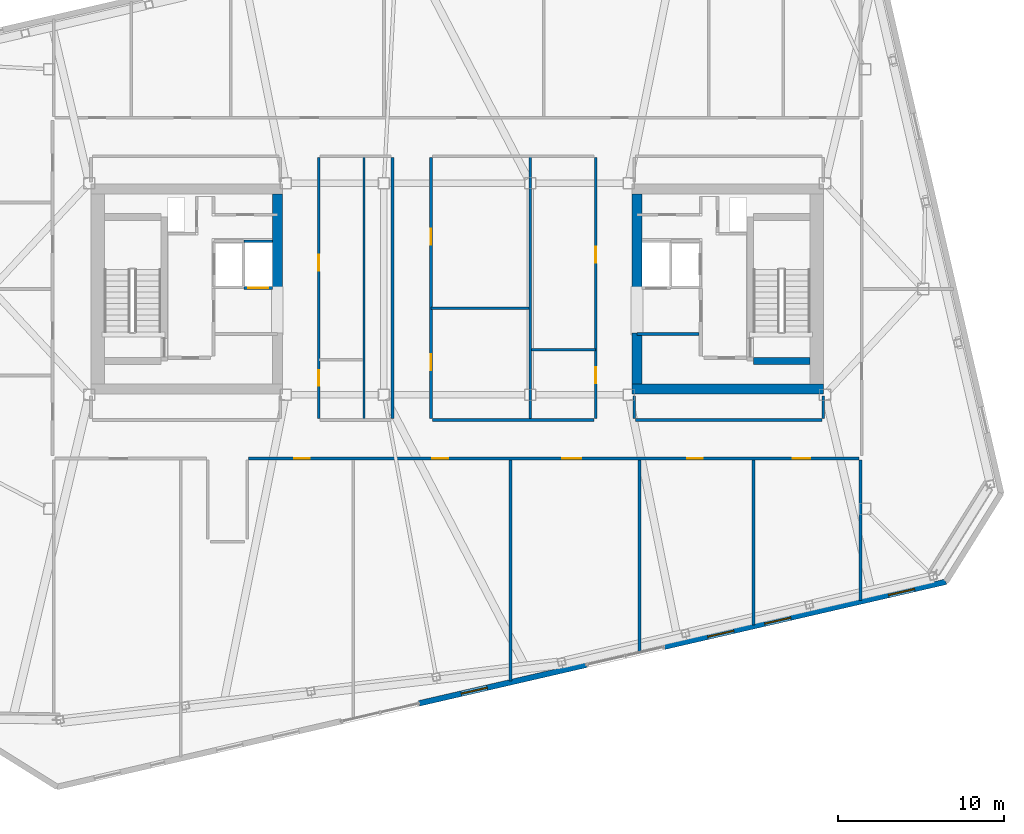
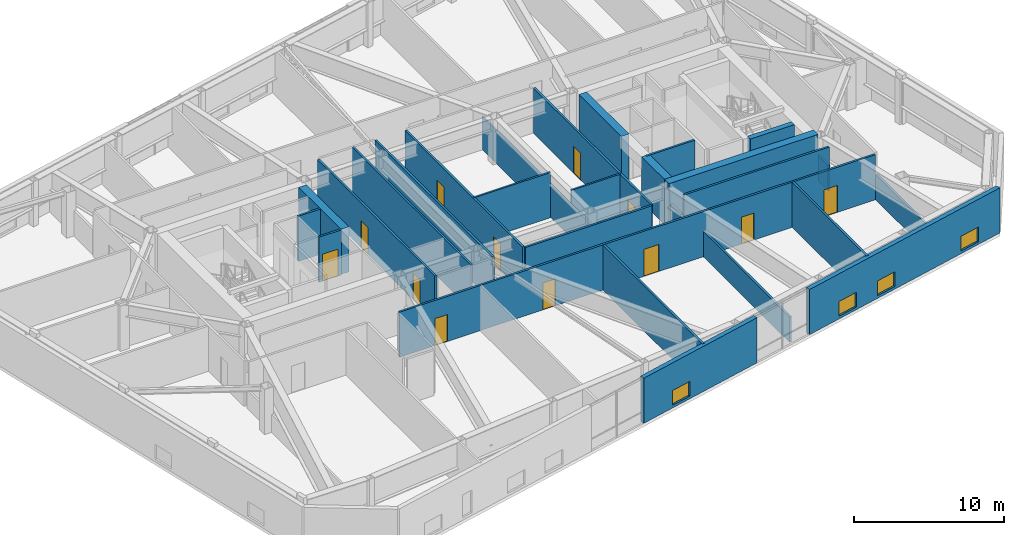
# One storey, part 17 of 23: 27 walls, 12 doors, 4 windows, 16 openings.
"""IFC4 building model written with IfcOpenShell, lengths in metres."""

from ifc_helpers import new_model, si_unit, direction, frame, frame_2d, origin, place, context, subcontext, project, spatial, rectangle, extrude, material, layer, layer_set, type_object, element, fill, save


model = new_model("IFC4")

# Units and contexts
model_context = context("Model", 3, precision=1e-05, world=origin(), true_north=direction((0.0, 1.0)))
body_context = subcontext(model_context, "Body", "Model", "MODEL_VIEW")
ifc_project = project(units=[si_unit("LENGTHUNIT", "METRE"), si_unit("AREAUNIT", "SQUARE_METRE"), si_unit("VOLUMEUNIT", "CUBIC_METRE"), si_unit("PLANEANGLEUNIT", "RADIAN"), si_unit("MASSUNIT", "GRAM", prefix="KILO")], contexts=[model_context])

# Site, building, storey
site_placement = place(None, origin())
site = spatial("IfcSite", under=ifc_project, at=site_placement, CompositionType="ELEMENT")
building_placement = place(site_placement, origin())
building = spatial("IfcBuilding", under=site, at=building_placement, Name="Tavrogorsk Clinical Tower", CompositionType="ELEMENT")
storey_placement = place(building_placement, frame((0.0, 0.0, 329.0)))
storey = spatial("IfcBuildingStorey", under=building, at=storey_placement, Name="L77", CompositionType="ELEMENT", Elevation=329.0)

# Walls
ifc_material_1 = material(Name="Lightweight concrete blockwork B15", Category="masonry")
ifc_layer_1 = layer(ifc_material_1, 0.139892578125)
ifc_layer_set_1 = layer_set([ifc_layer_1], Name="Lightweight concrete blockwork B15")
wall_type_1 = type_object("IfcWallType", Name="PartitionWall_140", PredefinedType="PARTITIONING", material=ifc_layer_set_1)
wall_1_placement = place(storey_placement, frame((-5.60009765625, -7.864990234375, 0.0), z_axis=(0.0, 0.0, 1.0), x_axis=(0.0, 1.0, 0.0)))
element("IfcWall", 1, at=wall_1_placement, inside=storey, type_object=wall_type_1, Name="L77 Central Spine Partition 1", PredefinedType="PARTITIONING", context=body_context, shape_type="SweptSolid", body=[
    extrude(rectangle(XDim=15.830078125, YDim=0.139892578125, at=frame_2d((7.9150390625, 0.0))), origin(), (0.0, 0.0, 1.0), 3.679931640625),
])
wall_2_placement = place(storey_placement, frame((4.39990234375, -7.864990234375, 0.0), z_axis=(0.0, 0.0, 1.0), x_axis=(0.0, 1.0, 0.0)))
element("IfcWall", 2, at=wall_2_placement, inside=storey, type_object=wall_type_1, Name="L77 Central Spine Partition 2", PredefinedType="PARTITIONING", context=body_context, shape_type="SweptSolid", body=[
    extrude(rectangle(XDim=15.830078125, YDim=0.139892578125, at=frame_2d((7.9150390625, 0.0))), origin(), (0.0, 0.0, 1.0), 2.675048828125),
])
wall_3_placement = place(storey_placement, frame((-1.56494140625, -1.14990234375, 0.0), z_axis=(0.0, 0.0, 1.0), x_axis=(1.0, 0.0, 0.0)))
element("IfcWall", 3, at=wall_3_placement, inside=storey, type_object=wall_type_1, Name="L77 Central Spine Partition 3", PredefinedType="PARTITIONING", context=body_context, shape_type="SweptSolid", body=[
    extrude(rectangle(XDim=5.889892578125, YDim=0.139892578125, at=frame_2d((2.94482421875, 0.0))), origin(), (0.0, 0.0, 1.0), 3.679931640625),
])
wall_4_placement = place(storey_placement, frame((4.47509765625, -3.64990234375, 0.0), z_axis=(0.0, 0.0, 1.0), x_axis=(1.0, 0.0, 0.0)))
element("IfcWall", 4, at=wall_4_placement, inside=storey, type_object=wall_type_1, Name="L77 Central Spine Partition 5", PredefinedType="PARTITIONING", context=body_context, shape_type="SweptSolid", body=[
    extrude(rectangle(XDim=3.83984375, YDim=0.139892578125, at=frame_2d((1.919921875, 0.0))), origin(), (0.0, 0.0, 1.0), 3.679931640625),
])
ifc_material_2 = material(Name="Lightweight concrete blockwork B15", Category="masonry")
ifc_layer_2 = layer(ifc_material_2, 0.159912109375)
ifc_layer_set_2 = layer_set([ifc_layer_2], Name="Lightweight concrete blockwork B15")
wall_type_2 = type_object("IfcWallType", Name="PartitionWall_160", PredefinedType="PARTITIONING", material=ifc_layer_set_2)
wall_5_placement = place(storey_placement, frame((10.800048828125, -2.699951171875, 0.0), z_axis=(0.0, 0.0, 1.0), x_axis=(1.0, 0.0, 0.0)))
element("IfcWall", 5, at=wall_5_placement, inside=storey, type_object=wall_type_2, Name="L77 Core East Freed Mid-Bank North Partition", PredefinedType="PARTITIONING", context=body_context, shape_type="SweptSolid", body=[
    extrude(rectangle(XDim=3.73486328125, YDim=0.159912109375, at=frame_2d((1.867431640625, 0.0))), origin(), (0.0, 0.0, 1.0), 3.679931640625),
])

# Wall, openings, doors
wall_6_placement = place(storey_placement, frame((24.14501953125, -10.179931640625, 0.0), z_axis=(0.0, 0.0, 1.0), x_axis=(-1.0, 0.0, 0.0)))
wall_6 = element("IfcWall", 6, at=wall_6_placement, inside=storey, type_object=wall_type_2, Name="L77 Corridor Partition 04", PredefinedType="PARTITIONING", context=body_context, shape_type="SweptSolid", body=[
    extrude(rectangle(XDim=36.679931640625, YDim=0.159912109375, at=frame_2d((18.33984375, 0.0))), origin(), (0.0, 0.0, 1.0), 3.679931640625),
])
opening_1_placement = place(wall_6_placement, frame((32.995849609375, 0.0, 0.0)))
opening_1 = element("IfcOpeningElement", 7, at=opening_1_placement, cuts=wall_6, Name="Opening ID-02", PredefinedType="OPENING", context=body_context, shape_type="SweptSolid", body=[
    extrude(rectangle(XDim=0.949951171875, YDim=2.199951171875, at=frame_2d((0.47509765625, 1.10009765625))), frame((0.0, 0.08984375, 0.0), z_axis=(0.0, -1.0, 0.0), x_axis=(1.0, 0.0, 0.0)), (0.0, 0.0, 1.0), 0.179931640625),
])
opening_2_placement = place(wall_6_placement, frame((24.679931640625, 0.0, 0.0)))
opening_2 = element("IfcOpeningElement", 8, at=opening_2_placement, cuts=wall_6, Name="Opening ID-02", PredefinedType="OPENING", context=body_context, shape_type="SweptSolid", body=[
    extrude(rectangle(XDim=0.949951171875, YDim=2.199951171875, at=frame_2d((0.47509765625, 1.10009765625))), frame((0.0, 0.08984375, 0.0), z_axis=(0.0, -1.0, 0.0), x_axis=(1.0, 0.0, 0.0)), (0.0, 0.0, 1.0), 0.179931640625),
])
opening_3_placement = place(wall_6_placement, frame((16.679931640625, 0.0, 0.0)))
opening_3 = element("IfcOpeningElement", 9, at=opening_3_placement, cuts=wall_6, Name="Opening ID-06", PredefinedType="OPENING", context=body_context, shape_type="SweptSolid", body=[
    extrude(rectangle(XDim=1.14990234375, YDim=2.199951171875, at=frame_2d((0.574951171875, 1.10009765625))), frame((0.0, 0.08984375, 0.0), z_axis=(0.0, -1.0, 0.0), x_axis=(1.0, 0.0, 0.0)), (0.0, 0.0, 1.0), 0.179931640625),
])
opening_4_placement = place(wall_6_placement, frame((9.3798828125, 0.0, 0.0)))
opening_4 = element("IfcOpeningElement", 10, at=opening_4_placement, cuts=wall_6, Name="Opening ID-02", PredefinedType="OPENING", context=body_context, shape_type="SweptSolid", body=[
    extrude(rectangle(XDim=0.949951171875, YDim=2.199951171875, at=frame_2d((0.47509765625, 1.10009765625))), frame((0.0, 0.08984375, 0.0), z_axis=(0.0, -1.0, 0.0), x_axis=(1.0, 0.0, 0.0)), (0.0, 0.0, 1.0), 0.179931640625),
])
opening_5_placement = place(wall_6_placement, frame((2.93408203125, 0.0, 0.0)))
opening_5 = element("IfcOpeningElement", 11, at=opening_5_placement, cuts=wall_6, Name="Opening ID-04", PredefinedType="OPENING", context=body_context, shape_type="SweptSolid", body=[
    extrude(rectangle(XDim=1.050048828125, YDim=2.199951171875, at=frame_2d((0.52490234375, 1.10009765625))), frame((0.0, 0.08984375, 0.0), z_axis=(0.0, -1.0, 0.0), x_axis=(1.0, 0.0, 0.0)), (0.0, 0.0, 1.0), 0.179931640625),
])
ifc_material_3 = material(Name="Antibacterial HPL consultation door on aluminium frame", Category="aluminium")
door_type_1 = type_object("IfcDoorType", Name="ConsultDoor_ID04_1050", OperationType="NOTDEFINED", PredefinedType="DOOR", material=ifc_material_3)
door_1_placement = place(opening_5_placement, origin())
door_1 = element("IfcDoor", 12, at=door_1_placement, inside=storey, type_object=door_type_1, Name="L77 South Faculty Dining & Reading Lounge 04 Door", OperationType="SINGLE_SWING_LEFT", OverallHeight=2.199951171875, OverallWidth=1.050048828125, PredefinedType="DOOR", context=body_context, shape_type="SweptSolid", body=[
    extrude(rectangle(XDim=1.050048828125, YDim=2.199951171875, at=frame_2d((0.52490234375, 1.10009765625))), frame((0.0, 0.02490234375, 0.0), z_axis=(0.0, -1.0, 0.0), x_axis=(1.0, 0.0, 0.0)), (0.0, 0.0, 1.0), 0.050048828125),
])
fill(opening_5, door_1)
ifc_material_4 = material(Name="Laminated timber leaf on aluminium frame", Category="wood")
door_type_2 = type_object("IfcDoorType", Name="InteriorDoor_ID02_950", OperationType="NOTDEFINED", PredefinedType="DOOR", material=ifc_material_4)
door_2_placement = place(opening_1_placement, origin())
door_2 = element("IfcDoor", 13, at=door_2_placement, inside=storey, type_object=door_type_2, Name="L77 South Faculty Dining & Reading Lounge 02A Door", OperationType="SINGLE_SWING_LEFT", OverallHeight=2.199951171875, OverallWidth=0.949951171875, PredefinedType="DOOR", context=body_context, shape_type="SweptSolid", body=[
    extrude(rectangle(XDim=0.949951171875, YDim=2.199951171875, at=frame_2d((0.47509765625, 1.10009765625))), frame((0.0, 0.02490234375, 0.0), z_axis=(0.0, -1.0, 0.0), x_axis=(1.0, 0.0, 0.0)), (0.0, 0.0, 1.0), 0.050048828125),
])
fill(opening_1, door_2)
door_3_placement = place(opening_2_placement, origin())
door_3 = element("IfcDoor", 14, at=door_3_placement, inside=storey, type_object=door_type_2, Name="L77 South Telemedicine & AI Diagnostics Research Office 02B Door", OperationType="SINGLE_SWING_RIGHT", OverallHeight=2.199951171875, OverallWidth=0.949951171875, PredefinedType="DOOR", context=body_context, shape_type="SweptSolid", body=[
    extrude(rectangle(XDim=0.949951171875, YDim=2.199951171875, at=frame_2d((0.47509765625, 1.10009765625))), frame((0.0, 0.02490234375, 0.0), z_axis=(0.0, -1.0, 0.0), x_axis=(1.0, 0.0, 0.0)), (0.0, 0.0, 1.0), 0.050048828125),
])
fill(opening_2, door_3)
door_4_placement = place(opening_4_placement, origin())
door_4 = element("IfcDoor", 15, at=door_4_placement, inside=storey, type_object=door_type_2, Name="L77 South Grand Rounds Academic Lecture Hall 03B Door", OperationType="SINGLE_SWING_RIGHT", OverallHeight=2.199951171875, OverallWidth=0.949951171875, PredefinedType="DOOR", context=body_context, shape_type="SweptSolid", body=[
    extrude(rectangle(XDim=0.949951171875, YDim=2.199951171875, at=frame_2d((0.47509765625, 1.10009765625))), frame((0.0, 0.02490234375, 0.0), z_axis=(0.0, -1.0, 0.0), x_axis=(1.0, 0.0, 0.0)), (0.0, 0.0, 1.0), 0.050048828125),
])
fill(opening_4, door_4)
ifc_material_5 = material(Name="Antibacterial HPL procedure door on aluminium frame", Category="aluminium")
door_type_3 = type_object("IfcDoorType", Name="LabDoor_ID06_1150", OperationType="NOTDEFINED", PredefinedType="DOOR", material=ifc_material_5)
door_5_placement = place(opening_3_placement, origin())
door_5 = element("IfcDoor", 16, at=door_5_placement, inside=storey, type_object=door_type_3, Name="L77 South Clinical Trials Archive & Data Store 03A Door", OperationType="SINGLE_SWING_LEFT", OverallHeight=2.199951171875, OverallWidth=1.14990234375, PredefinedType="DOOR", context=body_context, shape_type="SweptSolid", body=[
    extrude(rectangle(XDim=1.14990234375, YDim=2.199951171875, at=frame_2d((0.574951171875, 1.10009765625))), frame((0.0, 0.02490234375, 0.0), z_axis=(0.0, -1.0, 0.0), x_axis=(1.0, 0.0, 0.0)), (0.0, 0.0, 1.0), 0.050048828125),
])
fill(opening_3, door_5)

# Walls
wall_7_placement = place(storey_placement, frame((10.6298828125, -6.419921875, 0.0), z_axis=(0.0, 0.0, 1.0), x_axis=(0.0, -1.0, 0.0)))
element("IfcWall", 17, at=wall_7_placement, inside=storey, type_object=wall_type_2, Name="L77 Corridor Partition 11", PredefinedType="PARTITIONING", context=body_context, shape_type="SweptSolid", body=[
    extrude(rectangle(XDim=1.364990234375, YDim=0.159912109375, at=frame_2d((0.6826171875, 0.0))), origin(), (0.0, 0.0, 1.0), 2.074951171875),
])
wall_8_placement = place(storey_placement, frame((10.715087890625, -7.8701171875, 0.0), z_axis=(0.0, 0.0, 1.0), x_axis=(1.0, 0.0, 0.0)))
element("IfcWall", 18, at=wall_8_placement, inside=storey, type_object=wall_type_2, Name="L77 Corridor Partition 12", PredefinedType="PARTITIONING", context=body_context, shape_type="SweptSolid", body=[
    extrude(rectangle(XDim=11.199951171875, YDim=0.159912109375, at=frame_2d((5.60009765625, 0.0))), origin(), (0.0, 0.0, 1.0), 3.679931640625),
])
wall_9_placement = place(storey_placement, frame((22.0, -7.784912109375, 0.0), z_axis=(0.0, 0.0, 1.0), x_axis=(0.0, 1.0, 0.0)))
element("IfcWall", 19, at=wall_9_placement, inside=storey, type_object=wall_type_2, Name="L77 Corridor Partition 13", PredefinedType="PARTITIONING", context=body_context, shape_type="SweptSolid", body=[
    extrude(rectangle(XDim=1.364990234375, YDim=0.159912109375, at=frame_2d((0.6826171875, 0.0))), origin(), (0.0, 0.0, 1.0), 2.074951171875),
])

# Wall, openings, doors
wall_10_placement = place(storey_placement, frame((-1.570068359375, 7.885009765625, 0.0), z_axis=(0.0, 0.0, 1.0), x_axis=(0.0, -1.0, 0.0)))
wall_10 = element("IfcWall", 20, at=wall_10_placement, inside=storey, type_object=wall_type_2, Name="L77 Corridor Partition 16", PredefinedType="PARTITIONING", context=body_context, shape_type="SweptSolid", body=[
    extrude(rectangle(XDim=15.669921875, YDim=0.159912109375, at=frame_2d((7.8349609375, 0.0))), origin(), (0.0, 0.0, 1.0), 3.679931640625),
])
opening_6_placement = place(wall_10_placement, frame((11.810791015625, 0.0, 0.0)))
opening_6 = element("IfcOpeningElement", 21, at=opening_6_placement, cuts=wall_10, Name="Opening ID-02", PredefinedType="OPENING", context=body_context, shape_type="SweptSolid", body=[
    extrude(rectangle(XDim=0.949951171875, YDim=2.199951171875, at=frame_2d((0.47509765625, 1.10009765625))), frame((0.0, 0.08984375, 0.0), z_axis=(0.0, -1.0, 0.0), x_axis=(1.0, 0.0, 0.0)), (0.0, 0.0, 1.0), 0.179931640625),
])
opening_7_placement = place(wall_10_placement, frame((4.279052734375, 0.0, 0.0)))
opening_7 = element("IfcOpeningElement", 22, at=opening_7_placement, cuts=wall_10, Name="Opening ID-02", PredefinedType="OPENING", context=body_context, shape_type="SweptSolid", body=[
    extrude(rectangle(XDim=0.949951171875, YDim=2.199951171875, at=frame_2d((0.47509765625, 1.10009765625))), frame((0.0, 0.08984375, 0.0), z_axis=(0.0, -1.0, 0.0), x_axis=(1.0, 0.0, 0.0)), (0.0, 0.0, 1.0), 0.179931640625),
])
door_6_placement = place(opening_6_placement, origin())
door_6 = element("IfcDoor", 23, at=door_6_placement, inside=storey, type_object=door_type_2, Name="L77 Multidisciplinary Conference Room Door", OperationType="SINGLE_SWING_RIGHT", OverallHeight=2.199951171875, OverallWidth=0.949951171875, PredefinedType="DOOR", context=body_context, shape_type="SweptSolid", body=[
    extrude(rectangle(XDim=0.949951171875, YDim=2.199951171875, at=frame_2d((0.47509765625, 1.10009765625))), frame((0.0, 0.02490234375, 0.0), z_axis=(0.0, -1.0, 0.0), x_axis=(1.0, 0.0, 0.0)), (0.0, 0.0, 1.0), 0.050048828125),
])
fill(opening_6, door_6)
door_7_placement = place(opening_7_placement, origin())
door_7 = element("IfcDoor", 24, at=door_7_placement, inside=storey, type_object=door_type_2, Name="L77 Nurses' Station & Triage Hub Door", OperationType="SINGLE_SWING_LEFT", OverallHeight=2.199951171875, OverallWidth=0.949951171875, PredefinedType="DOOR", context=body_context, shape_type="SweptSolid", body=[
    extrude(rectangle(XDim=0.949951171875, YDim=2.199951171875, at=frame_2d((0.47509765625, 1.10009765625))), frame((0.0, 0.02490234375, 0.0), z_axis=(0.0, -1.0, 0.0), x_axis=(1.0, 0.0, 0.0)), (0.0, 0.0, 1.0), 0.050048828125),
])
fill(opening_7, door_7)

# Wall
wall_11_placement = place(storey_placement, frame((-1.485107421875, -7.8701171875, 0.0), z_axis=(0.0, 0.0, 1.0), x_axis=(1.0, 0.0, 0.0)))
element("IfcWall", 25, at=wall_11_placement, inside=storey, type_object=wall_type_2, Name="L77 Corridor Partition 17", PredefinedType="PARTITIONING", context=body_context, shape_type="SweptSolid", body=[
    extrude(rectangle(XDim=9.72021484375, YDim=0.159912109375, at=frame_2d((4.860107421875, 0.0))), origin(), (0.0, 0.0, 1.0), 3.679931640625),
])

# Wall, openings, doors
wall_12_placement = place(storey_placement, frame((8.320068359375, -7.784912109375, 0.0), z_axis=(0.0, 0.0, 1.0), x_axis=(0.0, 1.0, 0.0)))
wall_12 = element("IfcWall", 26, at=wall_12_placement, inside=storey, type_object=wall_type_2, Name="L77 Corridor Partition 18", PredefinedType="PARTITIONING", context=body_context, shape_type="SweptSolid", body=[
    extrude(rectangle(XDim=15.669921875, YDim=0.159912109375, at=frame_2d((7.8349609375, 0.0))), origin(), (0.0, 0.0, 1.0), 3.679931640625),
])
opening_8_placement = place(wall_12_placement, frame((2.129150390625, 0.0, 0.0)))
opening_8 = element("IfcOpeningElement", 27, at=opening_8_placement, cuts=wall_12, Name="Opening ID-02", PredefinedType="OPENING", context=body_context, shape_type="SweptSolid", body=[
    extrude(rectangle(XDim=0.949951171875, YDim=2.199951171875, at=frame_2d((0.47509765625, 1.10009765625))), frame((0.0, 0.08984375, 0.0), z_axis=(0.0, -1.0, 0.0), x_axis=(1.0, 0.0, 0.0)), (0.0, 0.0, 1.0), 0.179931640625),
])
opening_9_placement = place(wall_12_placement, frame((9.36083984375, 0.0, 0.0)))
opening_9 = element("IfcOpeningElement", 28, at=opening_9_placement, cuts=wall_12, Name="Opening ID-02", PredefinedType="OPENING", context=body_context, shape_type="SweptSolid", body=[
    extrude(rectangle(XDim=0.949951171875, YDim=2.199951171875, at=frame_2d((0.47509765625, 1.10009765625))), frame((0.0, 0.08984375, 0.0), z_axis=(0.0, -1.0, 0.0), x_axis=(1.0, 0.0, 0.0)), (0.0, 0.0, 1.0), 0.179931640625),
])
door_8_placement = place(opening_8_placement, origin())
door_8 = element("IfcDoor", 29, at=door_8_placement, inside=storey, type_object=door_type_2, Name="L77 Staff & Visitor Accessible WC Door", OperationType="SINGLE_SWING_RIGHT", OverallHeight=2.199951171875, OverallWidth=0.949951171875, PredefinedType="DOOR", context=body_context, shape_type="SweptSolid", body=[
    extrude(rectangle(XDim=0.949951171875, YDim=2.199951171875, at=frame_2d((0.47509765625, 1.10009765625))), frame((0.0, 0.02490234375, 0.0), z_axis=(0.0, -1.0, 0.0), x_axis=(1.0, 0.0, 0.0)), (0.0, 0.0, 1.0), 0.050048828125),
])
fill(opening_8, door_8)
door_9_placement = place(opening_9_placement, origin())
door_9 = element("IfcDoor", 30, at=door_9_placement, inside=storey, type_object=door_type_2, Name="L77 Attending Physician Office Door", OperationType="SINGLE_SWING_LEFT", OverallHeight=2.199951171875, OverallWidth=0.949951171875, PredefinedType="DOOR", context=body_context, shape_type="SweptSolid", body=[
    extrude(rectangle(XDim=0.949951171875, YDim=2.199951171875, at=frame_2d((0.47509765625, 1.10009765625))), frame((0.0, 0.02490234375, 0.0), z_axis=(0.0, -1.0, 0.0), x_axis=(1.0, 0.0, 0.0)), (0.0, 0.0, 1.0), 0.050048828125),
])
fill(opening_9, door_9)

# Wall
wall_13_placement = place(storey_placement, frame((-3.8798828125, -7.784912109375, 0.0), z_axis=(0.0, 0.0, 1.0), x_axis=(0.0, 1.0, 0.0)))
element("IfcWall", 31, at=wall_13_placement, inside=storey, type_object=wall_type_2, Name="L77 Corridor Partition 19", PredefinedType="PARTITIONING", context=body_context, shape_type="SweptSolid", body=[
    extrude(rectangle(XDim=15.669921875, YDim=0.159912109375, at=frame_2d((7.8349609375, 0.0))), origin(), (0.0, 0.0, 1.0), 3.679931640625),
])

# Wall, openings, doors
wall_14_placement = place(storey_placement, frame((-8.320068359375, 7.885009765625, 0.0), z_axis=(0.0, 0.0, 1.0), x_axis=(0.0, -1.0, 0.0)))
wall_14 = element("IfcWall", 32, at=wall_14_placement, inside=storey, type_object=wall_type_2, Name="L77 Corridor Partition 21", PredefinedType="PARTITIONING", context=body_context, shape_type="SweptSolid", body=[
    extrude(rectangle(XDim=15.669921875, YDim=0.159912109375, at=frame_2d((7.8349609375, 0.0))), origin(), (0.0, 0.0, 1.0), 3.679931640625),
])
opening_10_placement = place(wall_14_placement, frame((12.760986328125, 0.0, 0.0)))
opening_10 = element("IfcOpeningElement", 33, at=opening_10_placement, cuts=wall_14, Name="Opening ID-02", PredefinedType="OPENING", context=body_context, shape_type="SweptSolid", body=[
    extrude(rectangle(XDim=0.949951171875, YDim=2.199951171875, at=frame_2d((0.47509765625, 1.10009765625))), frame((0.0, 0.08984375, 0.0), z_axis=(0.0, -1.0, 0.0), x_axis=(1.0, 0.0, 0.0)), (0.0, 0.0, 1.0), 0.179931640625),
])
opening_11_placement = place(wall_14_placement, frame((5.8291015625, 0.0, 0.0)))
opening_11 = element("IfcOpeningElement", 34, at=opening_11_placement, cuts=wall_14, Name="Opening ID-02", PredefinedType="OPENING", context=body_context, shape_type="SweptSolid", body=[
    extrude(rectangle(XDim=0.949951171875, YDim=2.199951171875, at=frame_2d((0.47509765625, 1.10009765625))), frame((0.0, 0.08984375, 0.0), z_axis=(0.0, -1.0, 0.0), x_axis=(1.0, 0.0, 0.0)), (0.0, 0.0, 1.0), 0.179931640625),
])
door_10_placement = place(opening_10_placement, origin())
door_10 = element("IfcDoor", 35, at=door_10_placement, inside=storey, type_object=door_type_2, Name="L77 Accessible Patient Lavatory Door", OperationType="SINGLE_SWING_RIGHT", OverallHeight=2.199951171875, OverallWidth=0.949951171875, PredefinedType="DOOR", context=body_context, shape_type="SweptSolid", body=[
    extrude(rectangle(XDim=0.949951171875, YDim=2.199951171875, at=frame_2d((0.47509765625, 1.10009765625))), frame((0.0, 0.02490234375, 0.0), z_axis=(0.0, -1.0, 0.0), x_axis=(1.0, 0.0, 0.0)), (0.0, 0.0, 1.0), 0.050048828125),
])
fill(opening_10, door_10)
door_11_placement = place(opening_11_placement, origin())
door_11 = element("IfcDoor", 36, at=door_11_placement, inside=storey, type_object=door_type_2, Name="L77 Ward Nourishment Pantry Door", OperationType="SINGLE_SWING_LEFT", OverallHeight=2.199951171875, OverallWidth=0.949951171875, PredefinedType="DOOR", context=body_context, shape_type="SweptSolid", body=[
    extrude(rectangle(XDim=0.949951171875, YDim=2.199951171875, at=frame_2d((0.47509765625, 1.10009765625))), frame((0.0, 0.02490234375, 0.0), z_axis=(0.0, -1.0, 0.0), x_axis=(1.0, 0.0, 0.0)), (0.0, 0.0, 1.0), 0.050048828125),
])
fill(opening_11, door_11)

# Walls
wall_15_placement = place(storey_placement, frame((24.22998046875, -18.702880859375, 0.0), z_axis=(0.0, 0.0, 1.0), x_axis=(0.0, 1.0, 0.0)))
element("IfcWall", 37, at=wall_15_placement, inside=storey, type_object=wall_type_2, Name="L77 SE Wing Closure Partition", PredefinedType="PARTITIONING", context=body_context, shape_type="SweptSolid", body=[
    extrude(rectangle(XDim=8.43798828125, YDim=0.159912109375, at=frame_2d((4.218994140625, 0.0))), origin(), (0.0, 0.0, 1.0), 2.074951171875),
])
wall_16_placement = place(storey_placement, frame((3.199951171875, -23.557861328125, 0.0), z_axis=(0.0, 0.0, 1.0), x_axis=(0.0, 1.0, 0.0)))
element("IfcWall", 38, at=wall_16_placement, inside=storey, type_object=wall_type_2, Name="L77 South Room Partition 2", PredefinedType="PARTITIONING", context=body_context, shape_type="SweptSolid", body=[
    extrude(rectangle(XDim=13.29296875, YDim=0.159912109375, at=frame_2d((6.646484375, 0.0))), origin(), (0.0, 0.0, 1.0), 3.679931640625),
])
wall_17_placement = place(storey_placement, frame((17.800048828125, -20.187255859375, 0.0), z_axis=(0.0, 0.0, 1.0), x_axis=(0.0, 1.0, 0.0)))
element("IfcWall", 39, at=wall_17_placement, inside=storey, type_object=wall_type_2, Name="L77 South Room Partition 3", PredefinedType="PARTITIONING", context=body_context, shape_type="SweptSolid", body=[
    extrude(rectangle(XDim=9.92236328125, YDim=0.159912109375, at=frame_2d((4.961181640625, 0.0))), origin(), (0.0, 0.0, 1.0), 3.679931640625),
])
wall_18_placement = place(storey_placement, frame((10.949951171875, -21.768798828125, 0.0), z_axis=(0.0, 0.0, 1.0), x_axis=(0.0, 1.0, 0.0)))
element("IfcWall", 40, at=wall_18_placement, inside=storey, type_object=wall_type_2, Name="L77 South Sub-Partition 3", PredefinedType="PARTITIONING", context=body_context, shape_type="SweptSolid", body=[
    extrude(rectangle(XDim=11.50390625, YDim=0.159912109375, at=frame_2d((5.751953125, 0.0))), origin(), (0.0, 0.0, 1.0), 2.074951171875),
])

# Wall, opening, window
ifc_material_6 = material(Name="Precast concrete B45 with limestone cladding", Category="masonry")
ifc_layer_3 = layer(ifc_material_6, 0.340087890625)
ifc_layer_set_3 = layer_set([ifc_layer_3], Name="Precast concrete B45 with limestone cladding")
wall_type_3 = type_object("IfcWallType", Name="PrecastLimestoneWall_340", PredefinedType="STANDARD", material=ifc_layer_set_3)
wall_19_placement = place(storey_placement, frame((-2.294921875, -24.8984375, 0.0), z_axis=(0.0, 0.0, 1.0), x_axis=(0.974370872906, 0.224947553958, 0.0)))
wall_19 = element("IfcWall", 41, at=wall_19_placement, inside=storey, type_object=wall_type_3, Name="L77 S Limestone Facade Wall 2", PredefinedType="STANDARD", context=body_context, shape_type="SweptSolid", body=[
    extrude(rectangle(XDim=10.327880859375, YDim=0.340087890625, at=frame_2d((5.1640625, 0.0))), origin(), (0.0, 0.0, 1.0), 3.679931640625),
])
opening_12_placement = place(wall_19_placement, frame((2.604736328125, 0.0, 0.219970703125)))
opening_12 = element("IfcOpeningElement", 42, at=opening_12_placement, cuts=wall_19, Name="Opening WN-09", PredefinedType="OPENING", context=body_context, shape_type="SweptSolid", body=[
    extrude(rectangle(XDim=1.60009765625, YDim=1.199951171875, at=frame_2d((0.800048828125, 0.60009765625))), frame((0.0, 0.179931640625, 0.0), z_axis=(0.0, -1.0, 0.0), x_axis=(1.0, 0.0, 0.0)), (0.0, 0.0, 1.0), 0.360107421875),
])
ifc_material_7 = material(Name="Thermally broken aluminium frame and triple IGU", Category="aluminium")
window_type = type_object("IfcWindowType", Name="LowHeadTransWin_1600x1200", PartitioningType="DOUBLE_PANEL_VERTICAL", PredefinedType="WINDOW", material=ifc_material_7)
window_1_placement = place(opening_12_placement, origin())
window_1 = element("IfcWindow", 43, at=window_1_placement, inside=storey, type_object=window_type, Name="L77 S Chicago Window 05", OverallHeight=1.199951171875, OverallWidth=1.60009765625, PartitioningType="SINGLE_PANEL", PredefinedType="WINDOW", context=body_context, shape_type="SweptSolid", body=[
    extrude(rectangle(XDim=1.60009765625, YDim=1.199951171875, at=frame_2d((0.800048828125, 0.60009765625))), frame((0.0, 0.030029296875, 0.0), z_axis=(0.0, -1.0, 0.0), x_axis=(1.0, 0.0, 0.0)), (0.0, 0.0, 1.0), 0.06005859375),
])
fill(opening_12, window_1)

# Wall, openings, windows
wall_20_placement = place(storey_placement, frame((12.4453125, -21.495361328125, 0.0), z_axis=(0.0, 0.0, 1.0), x_axis=(0.974369392164, 0.224953967767, 0.0)))
wall_20 = element("IfcWall", 44, at=wall_20_placement, inside=storey, type_object=wall_type_3, Name="L77 S Limestone Facade Wall 3", PredefinedType="STANDARD", context=body_context, shape_type="SweptSolid", body=[
    extrude(rectangle(XDim=17.36572265625, YDim=0.340087890625, at=frame_2d((8.682861328125, 0.0))), origin(), (0.0, 0.0, 1.0), 3.679931640625),
])
opening_13_placement = place(wall_20_placement, frame((2.678466796875, 0.0, 0.219970703125)))
opening_13 = element("IfcOpeningElement", 45, at=opening_13_placement, cuts=wall_20, Name="Opening WN-09", PredefinedType="OPENING", context=body_context, shape_type="SweptSolid", body=[
    extrude(rectangle(XDim=1.60009765625, YDim=1.199951171875, at=frame_2d((0.800048828125, 0.60009765625))), frame((0.0, 0.179931640625, 0.0), z_axis=(0.0, -1.0, 0.0), x_axis=(1.0, 0.0, 0.0)), (0.0, 0.0, 1.0), 0.360107421875),
])
opening_14_placement = place(wall_20_placement, frame((6.190185546875, 0.0, 0.219970703125)))
opening_14 = element("IfcOpeningElement", 46, at=opening_14_placement, cuts=wall_20, Name="Opening WN-09", PredefinedType="OPENING", context=body_context, shape_type="SweptSolid", body=[
    extrude(rectangle(XDim=1.60009765625, YDim=1.199951171875, at=frame_2d((0.800048828125, 0.60009765625))), frame((0.0, 0.179931640625, 0.0), z_axis=(0.0, -1.0, 0.0), x_axis=(1.0, 0.0, 0.0)), (0.0, 0.0, 1.0), 0.360107421875),
])
opening_15_placement = place(wall_20_placement, frame((13.82470703125, 0.0, 0.219970703125)))
opening_15 = element("IfcOpeningElement", 47, at=opening_15_placement, cuts=wall_20, Name="Opening WN-09", PredefinedType="OPENING", context=body_context, shape_type="SweptSolid", body=[
    extrude(rectangle(XDim=1.60009765625, YDim=1.199951171875, at=frame_2d((0.800048828125, 0.60009765625))), frame((0.0, 0.179931640625, 0.0), z_axis=(0.0, -1.0, 0.0), x_axis=(1.0, 0.0, 0.0)), (0.0, 0.0, 1.0), 0.360107421875),
])
window_2_placement = place(opening_13_placement, origin())
window_2 = element("IfcWindow", 48, at=window_2_placement, inside=storey, type_object=window_type, Name="L77 S Chicago Window 07", OverallHeight=1.199951171875, OverallWidth=1.60009765625, PartitioningType="SINGLE_PANEL", PredefinedType="WINDOW", context=body_context, shape_type="SweptSolid", body=[
    extrude(rectangle(XDim=1.60009765625, YDim=1.199951171875, at=frame_2d((0.800048828125, 0.60009765625))), frame((0.0, 0.030029296875, 0.0), z_axis=(0.0, -1.0, 0.0), x_axis=(1.0, 0.0, 0.0)), (0.0, 0.0, 1.0), 0.06005859375),
])
fill(opening_13, window_2)
window_3_placement = place(opening_14_placement, origin())
window_3 = element("IfcWindow", 49, at=window_3_placement, inside=storey, type_object=window_type, Name="L77 S Chicago Window 08", OverallHeight=1.199951171875, OverallWidth=1.60009765625, PartitioningType="SINGLE_PANEL", PredefinedType="WINDOW", context=body_context, shape_type="SweptSolid", body=[
    extrude(rectangle(XDim=1.60009765625, YDim=1.199951171875, at=frame_2d((0.800048828125, 0.60009765625))), frame((0.0, 0.030029296875, 0.0), z_axis=(0.0, -1.0, 0.0), x_axis=(1.0, 0.0, 0.0)), (0.0, 0.0, 1.0), 0.06005859375),
])
fill(opening_14, window_3)
window_4_placement = place(opening_15_placement, origin())
window_4 = element("IfcWindow", 50, at=window_4_placement, inside=storey, type_object=window_type, Name="L77 S Chicago Window 10", OverallHeight=1.199951171875, OverallWidth=1.60009765625, PartitioningType="SINGLE_PANEL", PredefinedType="WINDOW", context=body_context, shape_type="SweptSolid", body=[
    extrude(rectangle(XDim=1.60009765625, YDim=1.199951171875, at=frame_2d((0.800048828125, 0.60009765625))), frame((0.0, 0.030029296875, 0.0), z_axis=(0.0, -1.0, 0.0), x_axis=(1.0, 0.0, 0.0)), (0.0, 0.0, 1.0), 0.06005859375),
])
fill(opening_15, window_4)

# Wall, opening, door
ifc_material_8 = material(Name="Lightweight concrete blockwork B25", Category="masonry")
ifc_layer_4 = layer(ifc_material_8, 0.159912109375)
ifc_layer_set_4 = layer_set([ifc_layer_4], Name="Lightweight concrete blockwork B25")
wall_type_4 = type_object("IfcWallType", Name="ShaftWall_160", PredefinedType="PARTITIONING", material=ifc_layer_set_4)
wall_21_placement = place(storey_placement, frame((-12.820068359375, 0.06005859375, 0.0), z_axis=(0.0, 0.0, 1.0), x_axis=(1.0, 0.0, 0.0)))
wall_21 = element("IfcWall", 51, at=wall_21_placement, inside=storey, type_object=wall_type_4, Name="L77 LP-H1 High-Zone Lift Portal Wall", PredefinedType="PARTITIONING", context=body_context, shape_type="SweptSolid", body=[
    extrude(rectangle(XDim=1.719970703125, YDim=0.159912109375, at=frame_2d((0.85986328125, 0.0))), origin(), (0.0, 0.0, 1.0), 3.679931640625),
])
opening_16_placement = place(wall_21_placement, frame((0.260009765625, 0.0, 0.0)))
opening_16 = element("IfcOpeningElement", 52, at=opening_16_placement, cuts=wall_21, Name="Opening LD", PredefinedType="OPENING", context=body_context, shape_type="SweptSolid", body=[
    extrude(rectangle(XDim=1.199951171875, YDim=2.199951171875, at=frame_2d((0.60009765625, 1.10009765625))), frame((0.0, 0.08984375, 0.0), z_axis=(0.0, -1.0, 0.0), x_axis=(1.0, 0.0, 0.0)), (0.0, 0.0, 1.0), 0.179931640625),
])
ifc_material_9 = material(Name="Brushed stainless steel AISI 304 sliding doors", Category="steel")
door_type_4 = type_object("IfcDoorType", Name="LiftLandingDoor_LD_1200", OperationType="SLIDING_TO_LEFT", PredefinedType="DOOR", material=ifc_material_9)
door_12_placement = place(opening_16_placement, origin())
door_12 = element("IfcDoor", 53, at=door_12_placement, inside=storey, type_object=door_type_4, Name="L77 LP-H1 Sliding Lift Landing Door", OperationType="SLIDING_TO_LEFT", OverallHeight=2.199951171875, OverallWidth=1.199951171875, PredefinedType="DOOR", context=body_context, shape_type="SweptSolid", body=[
    extrude(rectangle(XDim=1.199951171875, YDim=2.199951171875, at=frame_2d((0.60009765625, 1.10009765625))), frame((0.0, 0.02490234375, 0.0), z_axis=(0.0, -1.0, 0.0), x_axis=(1.0, 0.0, 0.0)), (0.0, 0.0, 1.0), 0.050048828125),
])
fill(opening_16, door_12)

# Walls
wall_22_placement = place(storey_placement, frame((-12.820068359375, 2.860107421875, 0.0), z_axis=(0.0, 0.0, 1.0), x_axis=(1.0, 0.0, 0.0)))
element("IfcWall", 54, at=wall_22_placement, inside=storey, type_object=wall_type_4, Name="L77 LP-H1 High-Zone Lift Rear Wall", PredefinedType="PARTITIONING", context=body_context, shape_type="SweptSolid", body=[
    extrude(rectangle(XDim=1.719970703125, YDim=0.159912109375, at=frame_2d((0.85986328125, 0.0))), origin(), (0.0, 0.0, 1.0), 3.679931640625),
])
ifc_material_10 = material(Name="Concrete B80", Category="concrete")
ifc_layer_5 = layer(ifc_material_10, 0.39990234375)
ifc_layer_set_5 = layer_set([ifc_layer_5], Name="Concrete B80")
wall_type_5 = type_object("IfcWallType", Name="ShearWall_400", PredefinedType="SHEAR", material=ifc_layer_set_5)
wall_23_placement = place(storey_placement, frame((17.800048828125, -4.324951171875, 0.0), z_axis=(0.0, 0.0, 1.0), x_axis=(1.0, 0.0, 0.0)))
element("IfcWall", 55, at=wall_23_placement, inside=storey, type_object=wall_type_5, Name="L77 Core East Stair Shaft South Shear Wall", PredefinedType="SHEAR", context=body_context, shape_type="SweptSolid", body=[
    extrude(rectangle(XDim=3.39990234375, YDim=0.39990234375, at=frame_2d((1.699951171875, 0.0))), origin(), (0.0, 0.0, 1.0), 3.679931640625),
])
ifc_material_11 = material(Name="Concrete B80", Category="concrete")
ifc_layer_6 = layer(ifc_material_11, 0.60009765625)
ifc_layer_set_6 = layer_set([ifc_layer_6], Name="Concrete B80")
wall_type_6 = type_object("IfcWallType", Name="ShearWall_600", PredefinedType="SHEAR", material=ifc_layer_set_6)
wall_24_placement = place(storey_placement, frame((-10.800048828125, 0.050048828125, 0.0), z_axis=(0.0, 0.0, 1.0), x_axis=(0.0, 1.0, 0.0)))
element("IfcWall", 56, at=wall_24_placement, inside=storey, type_object=wall_type_6, Name="L77 Core West Inner North Pier", PredefinedType="SHEAR", context=body_context, shape_type="SweptSolid", body=[
    extrude(rectangle(XDim=5.64990234375, YDim=0.60009765625, at=frame_2d((2.824951171875, 0.0))), origin(), (0.0, 0.0, 1.0), 3.679931640625),
])
wall_25_placement = place(storey_placement, frame((10.5, -6.0, 0.0), z_axis=(0.0, 0.0, 1.0), x_axis=(1.0, 0.0, 0.0)))
element("IfcWall", 57, at=wall_25_placement, inside=storey, type_object=wall_type_6, Name="L77 Core East South Shear Wall", PredefinedType="SHEAR", context=body_context, shape_type="SweptSolid", body=[
    extrude(rectangle(XDim=11.5, YDim=0.60009765625, at=frame_2d((5.75, 0.0))), origin(), (0.0, 0.0, 1.0), 3.679931640625),
])
wall_26_placement = place(storey_placement, frame((10.800048828125, -5.699951171875, 0.0), z_axis=(0.0, 0.0, 1.0), x_axis=(0.0, 1.0, 0.0)))
element("IfcWall", 58, at=wall_26_placement, inside=storey, type_object=wall_type_6, Name="L77 Core East Inner South Pier", PredefinedType="SHEAR", context=body_context, shape_type="SweptSolid", body=[
    extrude(rectangle(XDim=3.050048828125, YDim=0.60009765625, at=frame_2d((1.52490234375, 0.0))), origin(), (0.0, 0.0, 1.0), 3.679931640625),
])
wall_27_placement = place(storey_placement, frame((10.800048828125, 0.050048828125, 0.0), z_axis=(0.0, 0.0, 1.0), x_axis=(0.0, 1.0, 0.0)))
element("IfcWall", 59, at=wall_27_placement, inside=storey, type_object=wall_type_6, Name="L77 Core East Inner North Pier", PredefinedType="SHEAR", context=body_context, shape_type="SweptSolid", body=[
    extrude(rectangle(XDim=5.64990234375, YDim=0.60009765625, at=frame_2d((2.824951171875, 0.0))), origin(), (0.0, 0.0, 1.0), 3.679931640625),
])

save(model, "model.ifc")
